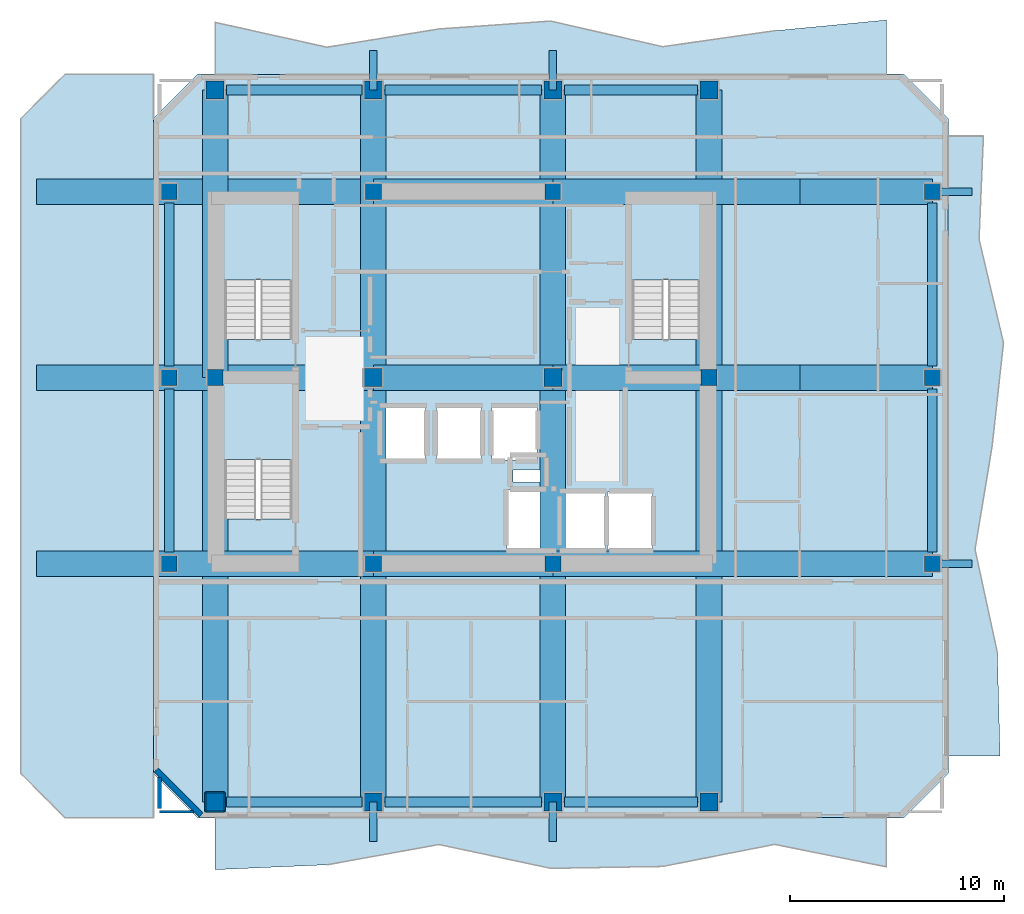
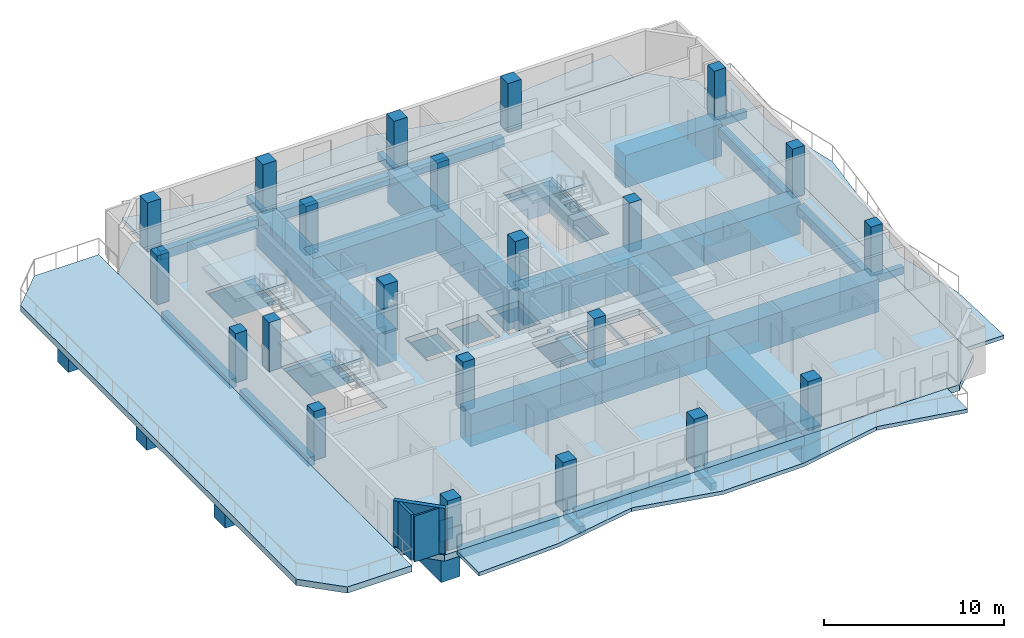
# One storey, part 1 of 10: 36 beams, 22 columns, 8 slabs, 7 walls, 3 elements without a shape of their own.
"""IFC4 building model written with IfcOpenShell, lengths in metres."""

from ifc_helpers import new_model, si_unit, direction, frame, frame_2d, origin, origin_2d, place, context, subcontext, project, spatial, polyline, rectangle, outline, extrude, material, layer, layer_set, material_profile, profile_set, type_object, element, aggregate, save


model = new_model("IFC4")

# Units and contexts
model_context = context("Model", 3, precision=1e-05, world=origin(), true_north=direction((0.0, 1.0)))
body_context = subcontext(model_context, "Body", "Model", "MODEL_VIEW")
ifc_project = project(units=[si_unit("LENGTHUNIT", "METRE"), si_unit("AREAUNIT", "SQUARE_METRE"), si_unit("VOLUMEUNIT", "CUBIC_METRE"), si_unit("PLANEANGLEUNIT", "RADIAN"), si_unit("MASSUNIT", "GRAM", prefix="KILO")], contexts=[model_context])

# Site, building, storey
site_placement = place(None, origin())
site = spatial("IfcSite", under=ifc_project, at=site_placement, CompositionType="ELEMENT")
building_placement = place(site_placement, origin())
building = spatial("IfcBuilding", under=site, at=building_placement, Name="Solanera Arch Residences", CompositionType="ELEMENT")
storey_placement = place(building_placement, frame((0.0, 0.0, 210.080078125)))
storey = spatial("IfcBuildingStorey", under=building, at=storey_placement, Name="L61", CompositionType="ELEMENT", Elevation=210.080078125)

# Columns
ifc_material_1 = material(Name="Concrete C40/50 (f'c = 45 MPa)", Category="concrete")
ifc_material_profile_1 = material_profile(ifc_material_1, rectangle(XDim=0.75, YDim=0.75, at=origin_2d()))
ifc_profile_set_1 = profile_set([ifc_material_profile_1], Name="Concrete C40/50 (f'c = 45 MPa)")
column_type_1 = type_object("IfcColumnType", Name="Structural Column RC-COL-750X750", PredefinedType="COLUMN", material=ifc_profile_set_1)
for number, where, z_axis, x_axis, name in (
    (1, (20.800048828125, 22.0, 0.0), (0.0, 0.0, 1.0), (1.0, 0.0, 0.0), "COL-L61-CB-SW"),
    (2, (29.199951171875, 22.0, 0.0), (0.0, 0.0, 1.0), (1.0, 0.0, 0.0), "COL-L61-CB-SE"),
    (3, (20.800048828125, 39.39990234375, 0.0), (0.0, 0.0, 1.0), (1.0, 0.0, 0.0), "COL-L61-CB-NW"),
    (4, (29.199951171875, 39.39990234375, 0.0), (0.0, 0.0, 1.0), (1.0, 0.0, 0.0), "COL-L61-CB-NE"),
    (5, (13.39990234375, 30.699951171875, 0.0), (0.0, 0.0, 1.0), (1.0, 0.0, 0.0), "COL-L61-CB-WW"),
    (6, (36.5, 30.699951171875, 0.0), (0.0, 0.0, 1.0), (1.0, 0.0, 0.0), "COL-L61-CB-EE"),
):
    element("IfcColumn", number, at=place(storey_placement, frame(where, z_axis=z_axis, x_axis=x_axis)), inside=storey, type_object=column_type_1, Name=name, PredefinedType="COLUMN", context=body_context, shape_type="SweptSolid", body=[
        extrude(rectangle(XDim=0.75, YDim=0.75, at=origin_2d()), origin(), (0.0, 0.0, 1.0), 3.31982421875),
    ])
for number, where, z_axis, x_axis, name in (
    (7, (11.25, 22.0, -0.2001953125), (0.0, 0.0, 1.0), (1.0, 0.0, 0.0), "COL-L61-TWR-09"),
    (8, (46.949951171875, 22.0, -0.2001953125), (0.0, 0.0, 1.0), (1.0, 0.0, 0.0), "COL-L61-TWR-10"),
    (9, (11.25, 30.699951171875, -0.2001953125), (0.0, 0.0, 1.0), (1.0, 0.0, 0.0), "COL-L61-TWR-11"),
    (10, (46.949951171875, 30.699951171875, -0.2001953125), (0.0, 0.0, 1.0), (1.0, 0.0, 0.0), "COL-L61-TWR-12"),
    (11, (11.25, 39.39990234375, -0.2001953125), (0.0, 0.0, 1.0), (1.0, 0.0, 0.0), "COL-L61-TWR-13"),
    (12, (46.949951171875, 39.39990234375, -0.2001953125), (0.0, 0.0, 1.0), (1.0, 0.0, 0.0), "COL-L61-TWR-14"),
):
    element("IfcColumn", number, at=place(storey_placement, frame(where, z_axis=z_axis, x_axis=x_axis)), inside=storey, type_object=column_type_1, Name=name, PredefinedType="COLUMN", context=body_context, shape_type="SweptSolid", body=[
        extrude(rectangle(XDim=0.75, YDim=0.75, at=origin_2d()), origin(), (0.0, 0.0, 1.0), 3.52001953125),
    ])
ifc_material_2 = material(Name="Concrete C40/50 (f'c = 45 MPa)", Category="concrete")
ifc_material_profile_2 = material_profile(ifc_material_2, rectangle(XDim=0.85009765625, YDim=0.85009765625, at=origin_2d()))
ifc_profile_set_2 = profile_set([ifc_material_profile_2], Name="Concrete C40/50 (f'c = 45 MPa)")
column_type_2 = type_object("IfcColumnType", Name="Structural Column RC-COL-850X850", PredefinedType="COLUMN", material=ifc_profile_set_2)
for number, where, z_axis, x_axis, name in (
    (13, (20.800048828125, 30.699951171875, 0.0), (0.0, 0.0, 1.0), (1.0, 0.0, 0.0), "COL-L61-CORE-W"),
    (14, (29.199951171875, 30.699951171875, 0.0), (0.0, 0.0, 1.0), (1.0, 0.0, 0.0), "COL-L61-CORE-E"),
):
    element("IfcColumn", number, at=place(storey_placement, frame(where, z_axis=z_axis, x_axis=x_axis)), inside=storey, type_object=column_type_2, Name=name, PredefinedType="COLUMN", context=body_context, shape_type="SweptSolid", body=[
        extrude(rectangle(XDim=0.85009765625, YDim=0.85009765625, at=origin_2d()), origin(), (0.0, 0.0, 1.0), 3.31982421875),
    ])
for number, where, z_axis, x_axis, name in (
    (15, (13.39990234375, 10.85009765625, -0.2001953125), (0.0, 0.0, 1.0), (1.0, 0.0, 0.0), "COL-L61-TWR-01"),
    (16, (13.39990234375, 44.14990234375, -0.2001953125), (0.0, 0.0, 1.0), (1.0, 0.0, 0.0), "COL-L61-TWR-02"),
    (17, (20.800048828125, 10.85009765625, -0.2001953125), (0.0, 0.0, 1.0), (1.0, 0.0, 0.0), "COL-L61-TWR-03"),
    (18, (20.800048828125, 44.14990234375, -0.2001953125), (0.0, 0.0, 1.0), (1.0, 0.0, 0.0), "COL-L61-TWR-04"),
    (19, (29.199951171875, 10.85009765625, -0.2001953125), (0.0, 0.0, 1.0), (1.0, 0.0, 0.0), "COL-L61-TWR-05"),
    (20, (29.199951171875, 44.14990234375, -0.2001953125), (0.0, 0.0, 1.0), (1.0, 0.0, 0.0), "COL-L61-TWR-06"),
    (21, (36.5, 10.85009765625, -0.2001953125), (0.0, 0.0, 1.0), (1.0, 0.0, 0.0), "COL-L61-TWR-07"),
    (22, (36.5, 44.14990234375, -0.2001953125), (0.0, 0.0, 1.0), (1.0, 0.0, 0.0), "COL-L61-TWR-08"),
):
    element("IfcColumn", number, at=place(storey_placement, frame(where, z_axis=z_axis, x_axis=x_axis)), inside=storey, type_object=column_type_2, Name=name, PredefinedType="COLUMN", context=body_context, shape_type="SweptSolid", body=[
        extrude(rectangle(XDim=0.85009765625, YDim=0.85009765625, at=origin_2d()), origin(), (0.0, 0.0, 1.0), 3.52001953125),
    ])

# Beams
ifc_material_3 = material(Name="Concrete C40/50 (f'c = 45 MPa)", Category="concrete")
ifc_material_profile_3 = material_profile(ifc_material_3, rectangle(XDim=0.35009765625, YDim=0.5, at=origin_2d()))
ifc_profile_set_3 = profile_set([ifc_material_profile_3], Name="Concrete C40/50 (f'c = 45 MPa)")
beam_type_1 = type_object("IfcBeamType", Name="BM-BALC-RIB", PredefinedType="BEAM", material=ifc_profile_set_3)
for number, where, z_axis, x_axis, name in (
    (23, (20.800048828125, 9.0, -0.5), (0.0, 1.0, 0.0), (-1.0, 0.0, 0.0), "BM-L61-BRIB-S1"),
    (24, (29.199951171875, 9.0, -0.5), (0.0, 1.0, 0.0), (-1.0, 0.0, 0.0), "BM-L61-BRIB-S2"),
    (25, (20.800048828125, 44.14990234375, -0.5), (0.0, 1.0, 0.0), (-1.0, 0.0, 0.0), "BM-L61-BRIB-N1"),
    (26, (29.199951171875, 44.14990234375, -0.5), (0.0, 1.0, 0.0), (-1.0, 0.0, 0.0), "BM-L61-BRIB-N2"),
    (27, (46.949951171875, 22.0, -0.5), (1.0, 0.0, 0.0), (0.0, 1.0, 0.0), "BM-L61-BRIB-E1"),
    (28, (46.949951171875, 39.39990234375, -0.5), (1.0, 0.0, 0.0), (0.0, 1.0, 0.0), "BM-L61-BRIB-E2"),
):
    element("IfcBeam", number, at=place(storey_placement, frame(where, z_axis=z_axis, x_axis=x_axis)), inside=storey, type_object=beam_type_1, Name=name, PredefinedType="BEAM", context=body_context, shape_type="SweptSolid", body=[
        extrude(rectangle(XDim=0.35009765625, YDim=0.5, at=origin_2d()), origin(), (0.0, 0.0, 1.0), 1.85009765625),
    ])
ifc_material_4 = material(Name="Concrete C55/67 (f'c = 60 MPa)", Category="concrete")
ifc_material_profile_4 = material_profile(ifc_material_4, rectangle(XDim=1.199951171875, YDim=2.199951171875, at=origin_2d()))
ifc_profile_set_4 = profile_set([ifc_material_profile_4], Name="Concrete C55/67 (f'c = 60 MPa)")
beam_type_2 = type_object("IfcBeamType", Name="BM-CANT-BLOCK", PredefinedType="BEAM", material=ifc_profile_set_4)
for number, where, z_axis, x_axis, name in (
    (29, (40.75, 22.0, -1.300048828125), (1.0, 0.0, 0.0), (0.0, 1.0, 0.0), "BM-L61-CANT-EW-E-220"),
    (30, (40.75, 30.699951171875, -1.300048828125), (1.0, 0.0, 0.0), (0.0, 1.0, 0.0), "BM-L61-CANT-EW-E-307"),
    (31, (40.75, 39.39990234375, -1.300048828125), (1.0, 0.0, 0.0), (0.0, 1.0, 0.0), "BM-L61-CANT-EW-E-394"),
):
    element("IfcBeam", number, at=place(storey_placement, frame(where, z_axis=z_axis, x_axis=x_axis)), inside=storey, type_object=beam_type_2, Name=name, PredefinedType="BEAM", context=body_context, shape_type="SweptSolid", body=[
        extrude(rectangle(XDim=1.199951171875, YDim=2.199951171875, at=origin_2d()), origin(), (0.0, 0.0, 1.0), 6.199951171875),
    ])
ifc_material_5 = material(Name="Concrete C40/50 (f'c = 45 MPa)", Category="concrete")
ifc_material_profile_5 = material_profile(ifc_material_5, rectangle(XDim=0.449951171875, YDim=0.60009765625, at=origin_2d()))
ifc_profile_set_5 = profile_set([ifc_material_profile_5], Name="Concrete C40/50 (f'c = 45 MPa)")
beam_type_3 = type_object("IfcBeamType", Name="Spandrel Beam RC-BM-450X600", PredefinedType="SPANDREL", material=ifc_profile_set_5)
for number, where, z_axis, x_axis, name in (
    (32, (13.93994140625, 10.85009765625, -0.719970703125), (1.0, 0.0, 0.0), (0.0, 1.0, 0.0), "BM-L61-XRING-S-1"),
    (33, (13.93994140625, 44.14990234375, -0.719970703125), (1.0, 0.0, 0.0), (0.0, 1.0, 0.0), "BM-L61-XRING-N-1"),
):
    element("IfcBeam", number, at=place(storey_placement, frame(where, z_axis=z_axis, x_axis=x_axis)), inside=storey, type_object=beam_type_3, Name=name, PredefinedType="SPANDREL", context=body_context, shape_type="SweptSolid", body=[
        extrude(rectangle(XDim=0.449951171875, YDim=0.60009765625, at=origin_2d()), origin(), (0.0, 0.0, 1.0), 6.320068359375),
    ])
for number, where, z_axis, x_axis, name in (
    (34, (21.340087890625, 10.85009765625, -0.719970703125), (1.0, 0.0, 0.0), (0.0, 1.0, 0.0), "BM-L61-XRING-S-2"),
    (35, (21.340087890625, 44.14990234375, -0.719970703125), (1.0, 0.0, 0.0), (0.0, 1.0, 0.0), "BM-L61-XRING-N-2"),
):
    element("IfcBeam", number, at=place(storey_placement, frame(where, z_axis=z_axis, x_axis=x_axis)), inside=storey, type_object=beam_type_3, Name=name, PredefinedType="SPANDREL", context=body_context, shape_type="SweptSolid", body=[
        extrude(rectangle(XDim=0.449951171875, YDim=0.60009765625, at=origin_2d()), origin(), (0.0, 0.0, 1.0), 7.31982421875),
    ])
for number, where, z_axis, x_axis, name in (
    (36, (29.739990234375, 10.85009765625, -0.719970703125), (1.0, 0.0, 0.0), (0.0, 1.0, 0.0), "BM-L61-XRING-S-3"),
    (37, (29.739990234375, 44.14990234375, -0.719970703125), (1.0, 0.0, 0.0), (0.0, 1.0, 0.0), "BM-L61-XRING-N-3"),
):
    element("IfcBeam", number, at=place(storey_placement, frame(where, z_axis=z_axis, x_axis=x_axis)), inside=storey, type_object=beam_type_3, Name=name, PredefinedType="SPANDREL", context=body_context, shape_type="SweptSolid", body=[
        extrude(rectangle(XDim=0.449951171875, YDim=0.60009765625, at=origin_2d()), origin(), (0.0, 0.0, 1.0), 6.219970703125),
    ])
for number, where, z_axis, x_axis, name in (
    (38, (11.25, 22.5400390625, -0.719970703125), (0.0, 1.0, 0.0), (-1.0, 0.0, 0.0), "BM-L61-XRING-W-1"),
    (39, (46.949951171875, 22.5400390625, -0.719970703125), (0.0, 1.0, 0.0), (-1.0, 0.0, 0.0), "BM-L61-XRING-E-1"),
):
    element("IfcBeam", number, at=place(storey_placement, frame(where, z_axis=z_axis, x_axis=x_axis)), inside=storey, type_object=beam_type_3, Name=name, PredefinedType="SPANDREL", context=body_context, shape_type="SweptSolid", body=[
        extrude(rectangle(XDim=0.449951171875, YDim=0.60009765625, at=origin_2d()), origin(), (0.0, 0.0, 1.0), 7.619873046875),
    ])
for number, where, z_axis, x_axis, name in (
    (40, (11.25, 31.239990234375, -0.719970703125), (0.0, 1.0, 0.0), (-1.0, 0.0, 0.0), "BM-L61-XRING-W-2"),
    (41, (46.949951171875, 31.239990234375, -0.719970703125), (0.0, 1.0, 0.0), (-1.0, 0.0, 0.0), "BM-L61-XRING-E-2"),
):
    element("IfcBeam", number, at=place(storey_placement, frame(where, z_axis=z_axis, x_axis=x_axis)), inside=storey, type_object=beam_type_3, Name=name, PredefinedType="SPANDREL", context=body_context, shape_type="SweptSolid", body=[
        extrude(rectangle(XDim=0.449951171875, YDim=0.60009765625, at=origin_2d()), origin(), (0.0, 0.0, 1.0), 7.6201171875),
    ])
ifc_material_6 = material(Name="Concrete C55/67 (f'c = 60 MPa)", Category="concrete")
ifc_material_profile_6 = material_profile(ifc_material_6, rectangle(XDim=1.199951171875, YDim=2.199951171875, at=origin_2d()))
ifc_profile_set_6 = profile_set([ifc_material_profile_6], Name="Concrete C55/67 (f'c = 60 MPa)")
beam_type_4 = type_object("IfcBeamType", Name="Transfer Girder RC-BM-1200X2200", PredefinedType="BEAM", material=ifc_profile_set_6)
beam_1_placement = place(storey_placement, frame((13.39990234375, 10.85009765625, -1.300048828125), z_axis=(0.0, 1.0, 0.0), x_axis=(-1.0, 0.0, 0.0)))
element("IfcBeam", 42, at=beam_1_placement, inside=storey, type_object=beam_type_4, Name="BM-L61-XFER-NS-S-134", PredefinedType="BEAM", context=body_context, shape_type="SweptSolid", body=[
    extrude(rectangle(XDim=1.199951171875, YDim=2.199951171875, at=origin_2d()), origin(), (0.0, 0.0, 1.0), 19.849853515625),
])
beam_2_placement = place(storey_placement, frame((13.39990234375, 30.699951171875, -1.300048828125), z_axis=(0.0, 1.0, 0.0), x_axis=(-1.0, 0.0, 0.0)))
element("IfcBeam", 43, at=beam_2_placement, inside=storey, type_object=beam_type_4, Name="BM-L61-XFER-NS-N-134", PredefinedType="BEAM", context=body_context, shape_type="SweptSolid", body=[
    extrude(rectangle(XDim=1.199951171875, YDim=2.199951171875, at=origin_2d()), origin(), (0.0, 0.0, 1.0), 13.449951171875),
])
beam_3_placement = place(storey_placement, frame((20.800048828125, 10.85009765625, -1.300048828125), z_axis=(0.0, 1.0, 0.0), x_axis=(-1.0, 0.0, 0.0)))
element("IfcBeam", 44, at=beam_3_placement, inside=storey, type_object=beam_type_4, Name="BM-L61-XFER-NS-S-208", PredefinedType="BEAM", context=body_context, shape_type="SweptSolid", body=[
    extrude(rectangle(XDim=1.199951171875, YDim=2.199951171875, at=origin_2d()), origin(), (0.0, 0.0, 1.0), 19.849853515625),
])
beam_4_placement = place(storey_placement, frame((20.800048828125, 30.699951171875, -1.300048828125), z_axis=(0.0, 1.0, 0.0), x_axis=(-1.0, 0.0, 0.0)))
element("IfcBeam", 45, at=beam_4_placement, inside=storey, type_object=beam_type_4, Name="BM-L61-XFER-NS-N-208", PredefinedType="BEAM", context=body_context, shape_type="SweptSolid", body=[
    extrude(rectangle(XDim=1.199951171875, YDim=2.199951171875, at=origin_2d()), origin(), (0.0, 0.0, 1.0), 13.449951171875),
])
beam_5_placement = place(storey_placement, frame((29.199951171875, 10.85009765625, -1.300048828125), z_axis=(0.0, 1.0, 0.0), x_axis=(-1.0, 0.0, 0.0)))
element("IfcBeam", 46, at=beam_5_placement, inside=storey, type_object=beam_type_4, Name="BM-L61-XFER-NS-S-292", PredefinedType="BEAM", context=body_context, shape_type="SweptSolid", body=[
    extrude(rectangle(XDim=1.199951171875, YDim=2.199951171875, at=origin_2d()), origin(), (0.0, 0.0, 1.0), 19.849853515625),
])
beam_6_placement = place(storey_placement, frame((29.199951171875, 30.699951171875, -1.300048828125), z_axis=(0.0, 1.0, 0.0), x_axis=(-1.0, 0.0, 0.0)))
element("IfcBeam", 47, at=beam_6_placement, inside=storey, type_object=beam_type_4, Name="BM-L61-XFER-NS-N-292", PredefinedType="BEAM", context=body_context, shape_type="SweptSolid", body=[
    extrude(rectangle(XDim=1.199951171875, YDim=2.199951171875, at=origin_2d()), origin(), (0.0, 0.0, 1.0), 13.449951171875),
])
beam_7_placement = place(storey_placement, frame((36.5, 10.85009765625, -1.300048828125), z_axis=(0.0, 1.0, 0.0), x_axis=(-1.0, 0.0, 0.0)))
element("IfcBeam", 48, at=beam_7_placement, inside=storey, type_object=beam_type_4, Name="BM-L61-XFER-NS-S-365", PredefinedType="BEAM", context=body_context, shape_type="SweptSolid", body=[
    extrude(rectangle(XDim=1.199951171875, YDim=2.199951171875, at=origin_2d()), origin(), (0.0, 0.0, 1.0), 19.849853515625),
])
beam_8_placement = place(storey_placement, frame((36.5, 30.699951171875, -1.300048828125), z_axis=(0.0, 1.0, 0.0), x_axis=(-1.0, 0.0, 0.0)))
element("IfcBeam", 49, at=beam_8_placement, inside=storey, type_object=beam_type_4, Name="BM-L61-XFER-NS-N-365", PredefinedType="BEAM", context=body_context, shape_type="SweptSolid", body=[
    extrude(rectangle(XDim=1.199951171875, YDim=2.199951171875, at=origin_2d()), origin(), (0.0, 0.0, 1.0), 13.449951171875),
])
beam_9_placement = place(storey_placement, frame((5.050048828125, 22.0, -1.300048828125), z_axis=(1.0, 0.0, 0.0), x_axis=(0.0, 1.0, 0.0)))
element("IfcBeam", 50, at=beam_9_placement, inside=storey, type_object=beam_type_4, Name="BM-L61-XFER-EW-W-220", PredefinedType="BEAM", context=body_context, shape_type="SweptSolid", body=[
    extrude(rectangle(XDim=1.199951171875, YDim=2.199951171875, at=origin_2d()), origin(), (0.0, 0.0, 1.0), 15.75),
])
beam_10_placement = place(storey_placement, frame((20.800048828125, 22.0, -1.300048828125), z_axis=(1.0, 0.0, 0.0), x_axis=(0.0, 1.0, 0.0)))
element("IfcBeam", 51, at=beam_10_placement, inside=storey, type_object=beam_type_4, Name="BM-L61-XFER-EW-C-220", PredefinedType="BEAM", context=body_context, shape_type="SweptSolid", body=[
    extrude(rectangle(XDim=1.199951171875, YDim=2.199951171875, at=origin_2d()), origin(), (0.0, 0.0, 1.0), 8.39990234375),
])
beam_11_placement = place(storey_placement, frame((29.199951171875, 22.0, -1.300048828125), z_axis=(1.0, 0.0, 0.0), x_axis=(0.0, 1.0, 0.0)))
element("IfcBeam", 52, at=beam_11_placement, inside=storey, type_object=beam_type_4, Name="BM-L61-XFER-EW-E-220", PredefinedType="BEAM", context=body_context, shape_type="SweptSolid", body=[
    extrude(rectangle(XDim=1.199951171875, YDim=2.199951171875, at=origin_2d()), origin(), (0.0, 0.0, 1.0), 11.550048828125),
])
beam_12_placement = place(storey_placement, frame((5.050048828125, 30.699951171875, -1.300048828125), z_axis=(1.0, 0.0, 0.0), x_axis=(0.0, 1.0, 0.0)))
element("IfcBeam", 53, at=beam_12_placement, inside=storey, type_object=beam_type_4, Name="BM-L61-XFER-EW-W-307", PredefinedType="BEAM", context=body_context, shape_type="SweptSolid", body=[
    extrude(rectangle(XDim=1.199951171875, YDim=2.199951171875, at=origin_2d()), origin(), (0.0, 0.0, 1.0), 15.75),
])
beam_13_placement = place(storey_placement, frame((20.800048828125, 30.699951171875, -1.300048828125), z_axis=(1.0, 0.0, 0.0), x_axis=(0.0, 1.0, 0.0)))
element("IfcBeam", 54, at=beam_13_placement, inside=storey, type_object=beam_type_4, Name="BM-L61-XFER-EW-C-307", PredefinedType="BEAM", context=body_context, shape_type="SweptSolid", body=[
    extrude(rectangle(XDim=1.199951171875, YDim=2.199951171875, at=origin_2d()), origin(), (0.0, 0.0, 1.0), 8.39990234375),
])
beam_14_placement = place(storey_placement, frame((29.199951171875, 30.699951171875, -1.300048828125), z_axis=(1.0, 0.0, 0.0), x_axis=(0.0, 1.0, 0.0)))
element("IfcBeam", 55, at=beam_14_placement, inside=storey, type_object=beam_type_4, Name="BM-L61-XFER-EW-E-307", PredefinedType="BEAM", context=body_context, shape_type="SweptSolid", body=[
    extrude(rectangle(XDim=1.199951171875, YDim=2.199951171875, at=origin_2d()), origin(), (0.0, 0.0, 1.0), 11.550048828125),
])
beam_15_placement = place(storey_placement, frame((5.050048828125, 39.39990234375, -1.300048828125), z_axis=(1.0, 0.0, 0.0), x_axis=(0.0, 1.0, 0.0)))
element("IfcBeam", 56, at=beam_15_placement, inside=storey, type_object=beam_type_4, Name="BM-L61-XFER-EW-W-394", PredefinedType="BEAM", context=body_context, shape_type="SweptSolid", body=[
    extrude(rectangle(XDim=1.199951171875, YDim=2.199951171875, at=origin_2d()), origin(), (0.0, 0.0, 1.0), 15.75),
])
beam_16_placement = place(storey_placement, frame((20.800048828125, 39.39990234375, -1.300048828125), z_axis=(1.0, 0.0, 0.0), x_axis=(0.0, 1.0, 0.0)))
element("IfcBeam", 57, at=beam_16_placement, inside=storey, type_object=beam_type_4, Name="BM-L61-XFER-EW-C-394", PredefinedType="BEAM", context=body_context, shape_type="SweptSolid", body=[
    extrude(rectangle(XDim=1.199951171875, YDim=2.199951171875, at=origin_2d()), origin(), (0.0, 0.0, 1.0), 8.39990234375),
])
beam_17_placement = place(storey_placement, frame((29.199951171875, 39.39990234375, -1.300048828125), z_axis=(1.0, 0.0, 0.0), x_axis=(0.0, 1.0, 0.0)))
element("IfcBeam", 58, at=beam_17_placement, inside=storey, type_object=beam_type_4, Name="BM-L61-XFER-EW-E-394", PredefinedType="BEAM", context=body_context, shape_type="SweptSolid", body=[
    extrude(rectangle(XDim=1.199951171875, YDim=2.199951171875, at=origin_2d()), origin(), (0.0, 0.0, 1.0), 11.550048828125),
])

# Slabs
ifc_material_7 = material(Name="Concrete C40/50 (f'c = 45 MPa)", Category="concrete")
ifc_layer_1 = layer(ifc_material_7, 0.25)
ifc_layer_set_1 = layer_set([ifc_layer_1], Name="Concrete C40/50 (f'c = 45 MPa)")
slab_type_1 = type_object("IfcSlabType", Name="Balcony Slab 250", PredefinedType="FLOOR", material=ifc_layer_set_1)
slab_1_placement = place(storey_placement, frame((0.0, 0.0, -0.25)))
element("IfcSlab", 59, at=slab_1_placement, inside=storey, type_object=slab_type_1, Name="L61 S Rippling Brise-Soleil Balcony Slab", PredefinedType="FLOOR", context=body_context, shape_type="SweptSolid", body=[
    extrude(outline(polyline([(13.39990234375, 7.68505859375), (18.633056640625, 7.9140625), (23.866943359375, 8.864013671875), (29.10009765625, 7.75), (34.3330078125, 7.837890625), (39.56689453125, 8.8701171875), (44.800048828125, 7.821044921875), (44.800048828125, 10.1201171875), (13.39990234375, 10.1201171875), (13.39990234375, 7.68505859375)])), origin(), (0.0, 0.0, 1.0), 0.25),
])
slab_2_placement = place(storey_placement, frame((0.0, 0.0, -0.25)))
element("IfcSlab", 60, at=slab_2_placement, inside=storey, type_object=slab_type_1, Name="L61 N Rippling Brise-Soleil Balcony Slab", PredefinedType="FLOOR", context=body_context, shape_type="SweptSolid", body=[
    extrude(outline(polyline([(44.800048828125, 47.425048828125), (39.56689453125, 46.923095703125), (34.3330078125, 46.177001953125), (29.10009765625, 47.3740234375), (23.866943359375, 47.006103515625), (18.633056640625, 46.152099609375), (13.39990234375, 47.31494140625), (13.39990234375, 44.8798828125), (44.800048828125, 44.8798828125), (44.800048828125, 47.425048828125)])), origin(), (0.0, 0.0, 1.0), 0.25),
])
slab_3_placement = place(storey_placement, frame((0.0, 0.0, -0.25)))
element("IfcSlab", 61, at=slab_3_placement, inside=storey, type_object=slab_type_1, Name="L61 E Rippling Brise-Soleil Balcony Slab", PredefinedType="FLOOR", context=body_context, shape_type="SweptSolid", body=[
    extrude(outline(polyline([(50.114990234375, 13.0), (49.987060546875, 17.8330078125), (48.94189453125, 22.6669921875), (49.741943359375, 27.5), (50.27294921875, 32.3330078125), (49.131103515625, 37.1669921875), (49.333984375, 42.0), (47.679931640625, 42.0), (47.679931640625, 13.0), (50.114990234375, 13.0)])), origin(), (0.0, 0.0, 1.0), 0.25),
])

# Stair, slab
ifc_material_8 = material(Name="Concrete C40/50 (f'c = 45 MPa)", Category="concrete")
stair_type = type_object("IfcStairType", Name="Tower Dogleg Exit Stair 1480", PredefinedType="HALF_TURN_STAIR", material=ifc_material_8)
stair_1_placement = place(storey_placement, origin())
stair_1 = element("IfcStair", 62, at=stair_1_placement, inside=storey, type_object=stair_type, Name="L61 Tower Core Exit Stair 1", PredefinedType="HALF_TURN_STAIR")
ifc_material_9 = material(Name="Concrete C40/50 (f'c = 45 MPa)", Category="concrete")
ifc_layer_2 = layer(ifc_material_9, 0.199951171875)
ifc_layer_set_2 = layer_set([ifc_layer_2], Name="Concrete C40/50 (f'c = 45 MPa)")
slab_type_2 = type_object("IfcSlabType", Name="Stair Half-Landing Slab 200", PredefinedType="LANDING", material=ifc_layer_set_2)
slab_4_placement = place(storey_placement, frame((0.0, 0.0, 1.4599609375)))
slab_4 = element("IfcSlab", 63, at=slab_4_placement, type_object=slab_type_2, Name="ST-T1 landing 1", PredefinedType="LANDING", context=body_context, shape_type="SweptSolid", body=[
    extrude(outline(polyline([(17.1201171875, 35.260009765625), (17.1201171875, 38.919921875), (13.719970703125, 38.919921875), (13.719970703125, 35.260009765625), (17.1201171875, 35.260009765625)])), origin(), (0.0, 0.0, 1.0), 0.199951171875),
])
aggregate(stair_1, [slab_4])

stair_2_placement = place(storey_placement, origin())
stair_2 = element("IfcStair", 64, at=stair_2_placement, inside=storey, type_object=stair_type, Name="L61 Tower Core Exit Stair 2", PredefinedType="HALF_TURN_STAIR")
slab_5_placement = place(storey_placement, frame((0.0, 0.0, 1.4599609375)))
slab_5 = element("IfcSlab", 65, at=slab_5_placement, type_object=slab_type_2, Name="ST-T2 landing 1", PredefinedType="LANDING", context=body_context, shape_type="SweptSolid", body=[
    extrude(outline(polyline([(36.179931640625, 35.260009765625), (36.179931640625, 38.919921875), (32.780029296875, 38.919921875), (32.780029296875, 35.260009765625), (36.179931640625, 35.260009765625)])), origin(), (0.0, 0.0, 1.0), 0.199951171875),
])
aggregate(stair_2, [slab_5])

stair_3_placement = place(storey_placement, origin())
stair_3 = element("IfcStair", 66, at=stair_3_placement, inside=storey, type_object=stair_type, Name="L61 Tower Core Exit Stair 3", PredefinedType="HALF_TURN_STAIR")
slab_6_placement = place(storey_placement, frame((0.0, 0.0, 1.4599609375)))
slab_6 = element("IfcSlab", 67, at=slab_6_placement, type_object=slab_type_2, Name="ST-T3 landing 1", PredefinedType="LANDING", context=body_context, shape_type="SweptSolid", body=[
    extrude(outline(polyline([(17.1201171875, 26.860107421875), (17.1201171875, 30.52001953125), (13.719970703125, 30.52001953125), (13.719970703125, 26.860107421875), (17.1201171875, 26.860107421875)])), origin(), (0.0, 0.0, 1.0), 0.199951171875),
])
aggregate(stair_3, [slab_6])

# Slabs
ifc_material_10 = material(Name="Concrete C40/50 (f'c = 45 MPa)", Category="concrete")
ifc_layer_3 = layer(ifc_material_10, 0.419921875)
ifc_layer_set_3 = layer_set([ifc_layer_3], Name="Concrete C40/50 (f'c = 45 MPa)")
slab_type_3 = type_object("IfcSlabType", Name="Suspended Floor Slab Post-Tensioned 420", PredefinedType="FLOOR", material=ifc_layer_set_3)
slab_7_placement = place(storey_placement, frame((0.0, 0.0, -0.420166015625)))
element("IfcSlab", 68, at=slab_7_placement, inside=storey, type_object=slab_type_3, Name="L61 Tower Post-Tensioned Floor Slab", PredefinedType="FLOOR", context=body_context, shape_type="SweptSolid", body=[
    extrude(outline(polyline([(12.60009765625, 10.10009765625), (45.60009765625, 10.10009765625), (47.699951171875, 12.199951171875), (47.699951171875, 42.800048828125), (45.60009765625, 44.89990234375), (12.60009765625, 44.89990234375), (10.5, 42.800048828125), (10.5, 12.199951171875), (12.60009765625, 10.10009765625)]), holes=[polyline([(13.840087890625, 32.48291015625), (13.840087890625, 38.800048828125), (17.0, 38.800048828125), (17.0, 32.48291015625), (13.840087890625, 32.48291015625)]), polyline([(32.89990234375, 32.48291015625), (32.89990234375, 38.800048828125), (36.06005859375, 38.800048828125), (36.06005859375, 32.48291015625), (32.89990234375, 32.48291015625)]), polyline([(13.840087890625, 24.0830078125), (13.840087890625, 30.39990234375), (17.0, 30.39990234375), (17.0, 24.0830078125), (13.840087890625, 24.0830078125)]), polyline([(21.14990234375, 29.35009765625), (23.25, 29.35009765625), (23.25, 26.85009765625), (21.14990234375, 26.85009765625), (21.14990234375, 29.35009765625)]), polyline([(23.75, 29.35009765625), (25.85009765625, 29.35009765625), (25.85009765625, 26.85009765625), (23.75, 26.85009765625), (23.75, 29.35009765625)]), polyline([(26.35009765625, 29.35009765625), (28.449951171875, 29.35009765625), (28.449951171875, 26.85009765625), (26.35009765625, 26.85009765625), (26.35009765625, 29.35009765625)]), polyline([(29.550048828125, 25.35009765625), (31.64990234375, 25.35009765625), (31.64990234375, 22.64990234375), (29.550048828125, 22.64990234375), (29.550048828125, 25.35009765625)]), polyline([(31.75, 25.35009765625), (33.85009765625, 25.35009765625), (33.85009765625, 22.64990234375), (31.75, 22.64990234375), (31.75, 25.35009765625)]), polyline([(27.050048828125, 25.449951171875), (29.35009765625, 25.449951171875), (29.35009765625, 22.64990234375), (27.050048828125, 22.64990234375), (27.050048828125, 25.449951171875)]), polyline([(27.340087890625, 26.3798828125), (28.760009765625, 26.3798828125), (28.760009765625, 25.820068359375), (27.340087890625, 25.820068359375), (27.340087890625, 26.3798828125)])]), origin(), (0.0, 0.0, 1.0), 0.420166015625),
])
ifc_material_11 = material(Name="Concrete C40/50 (f'c = 45 MPa)", Category="concrete")
ifc_layer_4 = layer(ifc_material_11, 0.419921875)
ifc_layer_set_4 = layer_set([ifc_layer_4], Name="Concrete C40/50 (f'c = 45 MPa)")
slab_type_4 = type_object("IfcSlabType", Name="Terrace Slab 420", PredefinedType="FLOOR", material=ifc_layer_set_4)
slab_8_placement = place(storey_placement, frame((0.0, 0.0, -0.420166015625)))
element("IfcSlab", 69, at=slab_8_placement, inside=storey, type_object=slab_type_4, Name="L61 Planted Sky Terrace Slab 1", PredefinedType="FLOOR", context=body_context, shape_type="SweptSolid", body=[
    extrude(outline(polyline([(6.3798828125, 10.1201171875), (10.52001953125, 10.1201171875), (10.52001953125, 12.2080078125), (10.52001953125, 42.7919921875), (10.52001953125, 44.8798828125), (6.3798828125, 44.8798828125), (4.300048828125, 42.800048828125), (4.300048828125, 12.199951171875), (6.3798828125, 10.1201171875)])), origin(), (0.0, 0.0, 1.0), 0.420166015625),
])

# Walls
ifc_material_12 = material(Name="Fire-Rated Gypsum Stud Partition", Category="gypsum")
ifc_layer_5 = layer(ifc_material_12, 0.06005859375)
ifc_layer_set_5 = layer_set([ifc_layer_5], Name="Fire-Rated Gypsum Stud Partition")
wall_type_1 = type_object("IfcWallType", Name="Column Acoustic Furring Wall 60", PredefinedType="PARTITIONING", material=ifc_layer_set_5)
for number, where, z_axis, x_axis, name in (
    (70, (12.97509765625, 10.39306640625, 0.0), (0.0, 0.0, 1.0), (1.0, 0.0, 0.0), "L61 Column Furring 9S"),
    (71, (12.97509765625, 11.306884765625, 0.0), (0.0, 0.0, 1.0), (1.0, 0.0, 0.0), "L61 Column Furring 9N"),
    (72, (12.943115234375, 10.425048828125, 0.0), (0.0, 0.0, 1.0), (0.0, 1.0, 0.0), "L61 Column Furring 9W"),
    (73, (13.85693359375, 10.425048828125, 0.0), (0.0, 0.0, 1.0), (0.0, 1.0, 0.0), "L61 Column Furring 9E"),
):
    element("IfcWall", number, at=place(storey_placement, frame(where, z_axis=z_axis, x_axis=x_axis)), inside=storey, type_object=wall_type_1, Name=name, PredefinedType="PARTITIONING", context=body_context, shape_type="SweptSolid", body=[
        extrude(rectangle(XDim=0.849853515625, YDim=0.06005859375, at=frame_2d((0.4248046875, 0.0))), origin(), (0.0, 0.0, 1.0), 1.449951171875),
    ])
ifc_material_13 = material(Name="Autoclaved Aerated Concrete Blockwork", Category="masonry")
ifc_layer_6 = layer(ifc_material_13, 0.179931640625)
ifc_layer_set_6 = layer_set([ifc_layer_6], Name="Autoclaved Aerated Concrete Blockwork")
wall_type_2 = type_object("IfcWallType", Name="Corridor Fire Partition 180", PredefinedType="PARTITIONING", material=ifc_layer_set_6)
wall_1_placement = place(storey_placement, frame((10.800048828125, 10.55810546875, 0.0), z_axis=(0.0, 0.0, 1.0), x_axis=(0.0, 1.0, 0.0)))
element("IfcWall", 74, at=wall_1_placement, inside=storey, type_object=wall_type_2, Name="L61 Interior Partition V7", PredefinedType="PARTITIONING", context=body_context, shape_type="SweptSolid", body=[
    extrude(rectangle(XDim=1.430908203125, YDim=0.179931640625, at=frame_2d((0.71533203125, 0.0))), origin(), (0.0, 0.0, 1.0), 3.099853515625),
])
ifc_material_14 = material(Name="Precast Concrete C35/45", Category="concrete")
ifc_layer_7 = layer(ifc_material_14, 0.260009765625)
ifc_layer_set_7 = layer_set([ifc_layer_7], Name="Precast Concrete C35/45")
wall_type_3 = type_object("IfcWallType", Name="Exterior Wall Precast Masonry-Frame 260", PredefinedType="STANDARD", material=ifc_layer_set_7)
wall_2_placement = place(storey_placement, frame((12.7451171875, 10.2451171875, 0.0), z_axis=(0.0, 0.0, 1.0), x_axis=(-0.707147883682, 0.707065676302, 0.0)))
element("IfcWall", 75, at=wall_2_placement, inside=storey, type_object=wall_type_3, Name="L61 Tower Exterior Precast Masonry-Frame Wall CH7", PredefinedType="STANDARD", context=body_context, shape_type="SweptSolid", body=[
    extrude(rectangle(XDim=2.9697265625, YDim=0.260009765625, at=frame_2d((1.48486328125, 0.0))), origin(), (0.0, 0.0, 1.0), 3.099853515625),
])
ifc_material_15 = material(Name="Fire-Rated Gypsum Stud Partition", Category="gypsum")
ifc_layer_8 = layer(ifc_material_15, 0.1201171875)
ifc_layer_set_8 = layer_set([ifc_layer_8], Name="Fire-Rated Gypsum Stud Partition")
wall_type_4 = type_object("IfcWallType", Name="Unit Drywall Partition 120", PredefinedType="PARTITIONING", material=ifc_layer_set_8)
wall_3_placement = place(storey_placement, frame((10.800048828125, 10.39990234375, 0.0), z_axis=(0.0, 0.0, 1.0), x_axis=(1.0, 0.0, 0.0)))
element("IfcWall", 76, at=wall_3_placement, inside=storey, type_object=wall_type_4, Name="L61 Interior Partition H20 1", PredefinedType="PARTITIONING", context=body_context, shape_type="SweptSolid", body=[
    extrude(rectangle(XDim=1.5888671875, YDim=0.1201171875, at=frame_2d((0.79443359375, 0.0))), origin(), (0.0, 0.0, 1.0), 3.099853515625),
])

save(model, "model.ifc")
